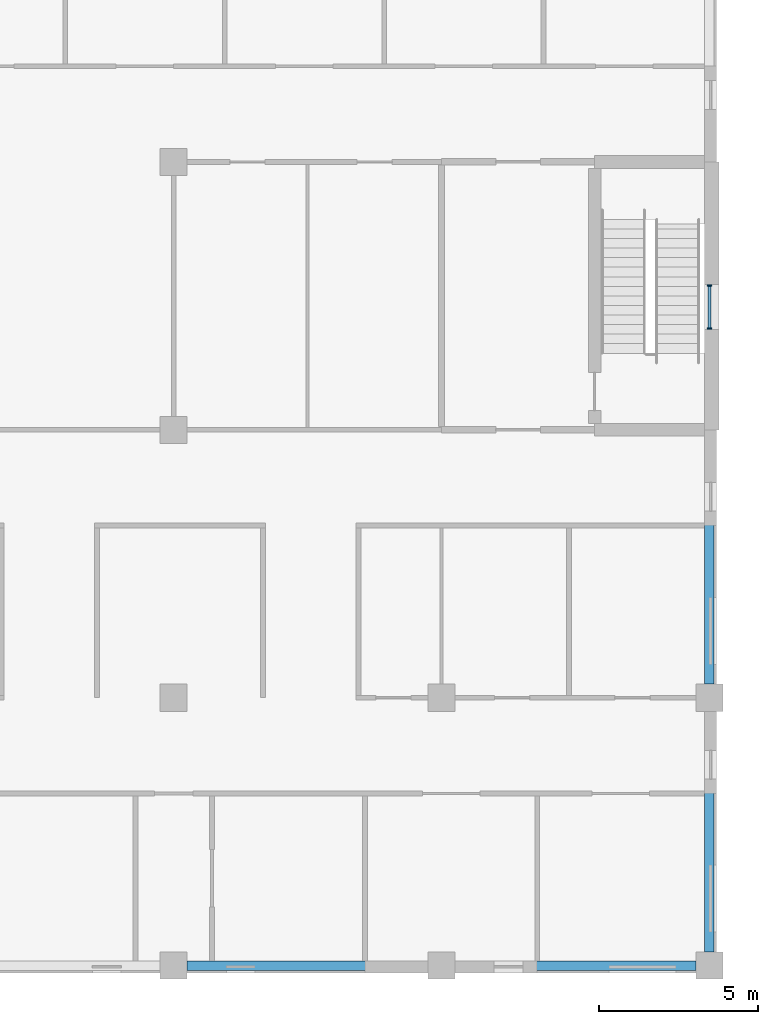
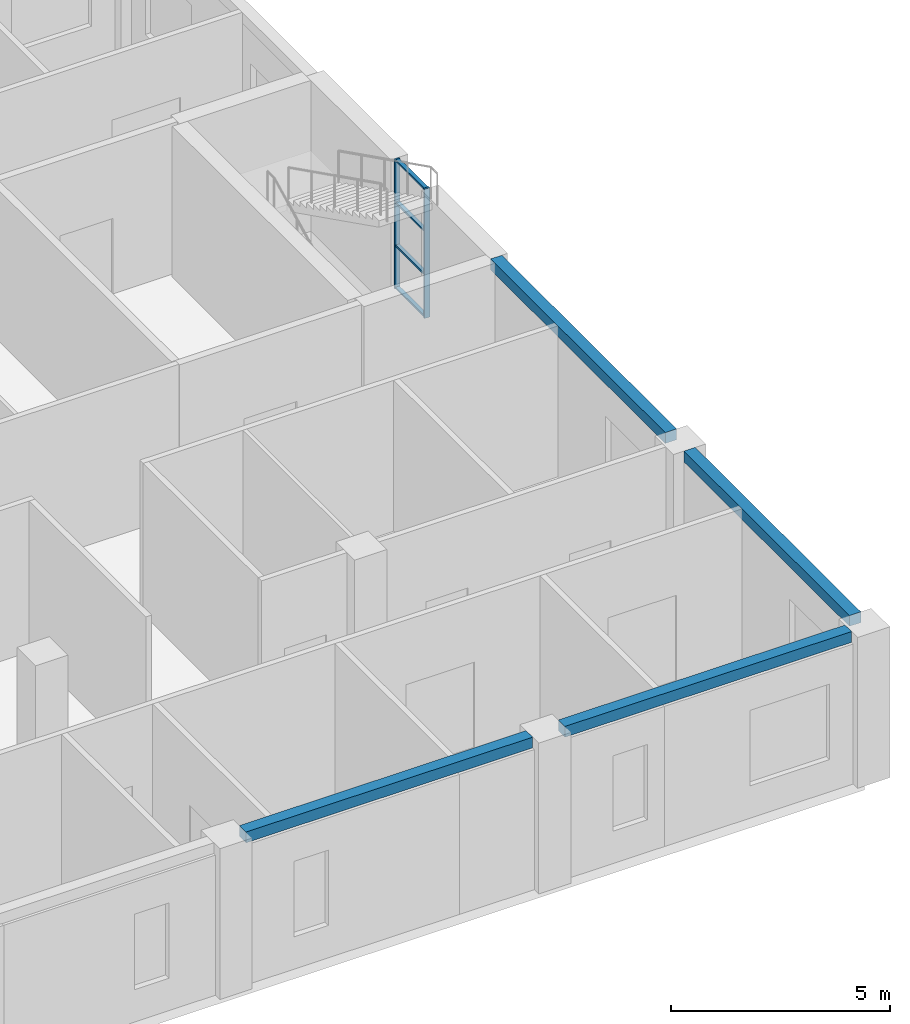
# One storey, part 20 of 66: 6 members, 4 beams, 1 element without a shape of its own.
"""IFC4 building model written with IfcOpenShell, lengths in metres."""

from ifc_helpers import new_model, si_unit, direction, frame, origin, origin_2d, place, context, subcontext, project, spatial, rectangle, extrude, material, material_profile, profile_set, type_object, element, aggregate, save


model = new_model("IFC4")

# Units and contexts
model_context = context("Model", 3, precision=1e-05, world=origin(), true_north=direction((0.0, 1.0)))
body_context = subcontext(model_context, "Body", "Model", "MODEL_VIEW")
ifc_project = project(units=[si_unit("LENGTHUNIT", "METRE"), si_unit("AREAUNIT", "SQUARE_METRE"), si_unit("VOLUMEUNIT", "CUBIC_METRE"), si_unit("PLANEANGLEUNIT", "RADIAN"), si_unit("MASSUNIT", "GRAM", prefix="KILO")], contexts=[model_context])

# Site, building, storey
site_placement = place(None, origin())
site = spatial("IfcSite", under=ifc_project, at=site_placement, CompositionType="ELEMENT")
building_placement = place(site_placement, origin())
building = spatial("IfcBuilding", under=site, at=building_placement, Name="Yavir Park General Hospital", CompositionType="ELEMENT")
storey_placement = place(building_placement, frame((0.0, 0.0, 8.39990234375)))
storey = spatial("IfcBuildingStorey", under=building, at=storey_placement, Name="L02", CompositionType="ELEMENT", Elevation=8.39990234375)

# Beams
ifc_material_1 = material(Name="Concrete C35/45", Category="concrete")
ifc_material_profile_1 = material_profile(ifc_material_1, rectangle(XDim=0.300048828125, YDim=0.300048828125, at=origin_2d()), Name="RC300x300")
ifc_profile_set_1 = profile_set([ifc_material_profile_1], Name="Concrete C35/45")
beam_type = type_object("IfcBeamType", Name="RC BEAM 300x300 edge beam", PredefinedType="BEAM", material=ifc_profile_set_1)
for number, where, z_axis, x_axis, name in (
    (1, (151.625, 0.0, 4.050048828125), (1.0, 0.0, 0.0), (0.0, 1.0, 0.0), "B:EDGE:L02:015"),
    (2, (160.02490234375, 0.0, 4.050048828125), (1.0, 0.0, 0.0), (0.0, 1.0, 0.0), "B:EDGE:L02:016"),
    (3, (168.0, 0.425048828125, 4.050048828125), (0.0, 1.0, 0.0), (-1.0, 0.0, 0.0), "B:EDGE:L02:052"),
):
    element("IfcBeam", number, at=place(storey_placement, frame(where, z_axis=z_axis, x_axis=x_axis)), inside=storey, type_object=beam_type, Name=name, PredefinedType="BEAM", context=body_context, shape_type="SweptSolid", body=[
        extrude(rectangle(XDim=0.300048828125, YDim=0.300048828125, at=origin_2d()), origin(), (0.0, 0.0, 1.0), 7.550048828125),
    ])
beam_placement = place(storey_placement, frame((168.0, 8.824951171875, 4.050048828125), z_axis=(0.0, 1.0, 0.0), x_axis=(-1.0, 0.0, 0.0)))
element("IfcBeam", 4, at=beam_placement, inside=storey, type_object=beam_type, Name="B:EDGE:L02:053", PredefinedType="BEAM", context=body_context, shape_type="SweptSolid", body=[
    extrude(rectangle(XDim=0.300048828125, YDim=0.300048828125, at=origin_2d()), origin(), (0.0, 0.0, 1.0), 7.97509765625),
])

# Curtain wall, members
ifc_material_2 = material(Name="Aluminium curtain wall frame with insulated glazing", Category="aluminium")
curtain_wall_type = type_object("IfcCurtainWallType", Name="Stair light slot, podium, 3600 high, 1400 module", PredefinedType="NOTDEFINED", material=ifc_material_2)
curtain_wall_placement = place(storey_placement, origin())
curtain_wall = element("IfcCurtainWall", 5, at=curtain_wall_placement, inside=storey, type_object=curtain_wall_type, Name="CW57 L02-025", PredefinedType="NOTDEFINED")
ifc_material_3 = material(Name="Aluminium", Category="aluminium")
ifc_material_profile_2 = material_profile(ifc_material_3, rectangle(XDim=0.139892578125, YDim=0.050048828125, at=origin_2d()), Name="AL 50x140")
ifc_profile_set_2 = profile_set([ifc_material_profile_2], Name="Aluminium")
member_type_1 = type_object("IfcMemberType", Name="Stair light slot, podium, 3600 high mullion 50 x 140", PredefinedType="MULLION", material=ifc_profile_set_2)
member_1_placement = place(storey_placement, frame((168.0, 19.97509765625, 0.60009765625), z_axis=(0.0, 0.0, 1.0), x_axis=(-1.0, 0.0, 0.0)))
member_1 = element("IfcMember", 6, at=member_1_placement, type_object=member_type_1, Name="CW57 mullion 1", PredefinedType="MULLION", context=body_context, shape_type="SweptSolid", body=[
    extrude(rectangle(XDim=0.139892578125, YDim=0.050048828125, at=origin_2d()), origin(), (0.0, 0.0, 1.0), 3.60009765625),
])
member_2_placement = place(storey_placement, frame((168.0, 21.324951171875, 0.60009765625), z_axis=(0.0, 0.0, 1.0), x_axis=(-1.0, 0.0, 0.0)))
member_2 = element("IfcMember", 7, at=member_2_placement, type_object=member_type_1, Name="CW57 mullion 2", PredefinedType="MULLION", context=body_context, shape_type="SweptSolid", body=[
    extrude(rectangle(XDim=0.139892578125, YDim=0.050048828125, at=origin_2d()), origin(), (0.0, 0.0, 1.0), 3.60009765625),
])
ifc_material_4 = material(Name="Aluminium", Category="aluminium")
ifc_material_profile_3 = material_profile(ifc_material_4, rectangle(XDim=0.10009765625, YDim=0.050048828125, at=origin_2d()), Name="AL 100x50")
ifc_profile_set_3 = profile_set([ifc_material_profile_3], Name="Aluminium")
member_type_2 = type_object("IfcMemberType", Name="Stair light slot, podium, 3600 high transom 50 x 100", PredefinedType="MULLION", material=ifc_profile_set_3)
member_3_placement = place(storey_placement, frame((168.0, 20.0, 0.625), z_axis=(0.0, 1.0, 0.0), x_axis=(-1.0, 0.0, 0.0)))
member_3 = element("IfcMember", 8, at=member_3_placement, type_object=member_type_2, Name="CW57 transom 1.1", PredefinedType="MULLION", context=body_context, shape_type="SweptSolid", body=[
    extrude(rectangle(XDim=0.10009765625, YDim=0.050048828125, at=origin_2d()), origin(), (0.0, 0.0, 1.0), 1.300048828125),
])
member_4_placement = place(storey_placement, frame((168.0, 20.0, 1.800048828125), z_axis=(0.0, 1.0, 0.0), x_axis=(-1.0, 0.0, 0.0)))
member_4 = element("IfcMember", 9, at=member_4_placement, type_object=member_type_2, Name="CW57 transom 1.2", PredefinedType="MULLION", context=body_context, shape_type="SweptSolid", body=[
    extrude(rectangle(XDim=0.10009765625, YDim=0.050048828125, at=origin_2d()), origin(), (0.0, 0.0, 1.0), 1.300048828125),
])
member_5_placement = place(storey_placement, frame((168.0, 20.0, 3.0), z_axis=(0.0, 1.0, 0.0), x_axis=(-1.0, 0.0, 0.0)))
member_5 = element("IfcMember", 10, at=member_5_placement, type_object=member_type_2, Name="CW57 transom 1.3", PredefinedType="MULLION", context=body_context, shape_type="SweptSolid", body=[
    extrude(rectangle(XDim=0.10009765625, YDim=0.050048828125, at=origin_2d()), origin(), (0.0, 0.0, 1.0), 1.300048828125),
])
member_6_placement = place(storey_placement, frame((168.0, 20.0, 4.175048828125), z_axis=(0.0, 1.0, 0.0), x_axis=(-1.0, 0.0, 0.0)))
member_6 = element("IfcMember", 11, at=member_6_placement, type_object=member_type_2, Name="CW57 transom 1.4", PredefinedType="MULLION", context=body_context, shape_type="SweptSolid", body=[
    extrude(rectangle(XDim=0.10009765625, YDim=0.050048828125, at=origin_2d()), origin(), (0.0, 0.0, 1.0), 1.300048828125),
])
aggregate(curtain_wall, [member_1, member_2, member_3, member_4, member_5, member_6])

save(model, "model.ifc")
